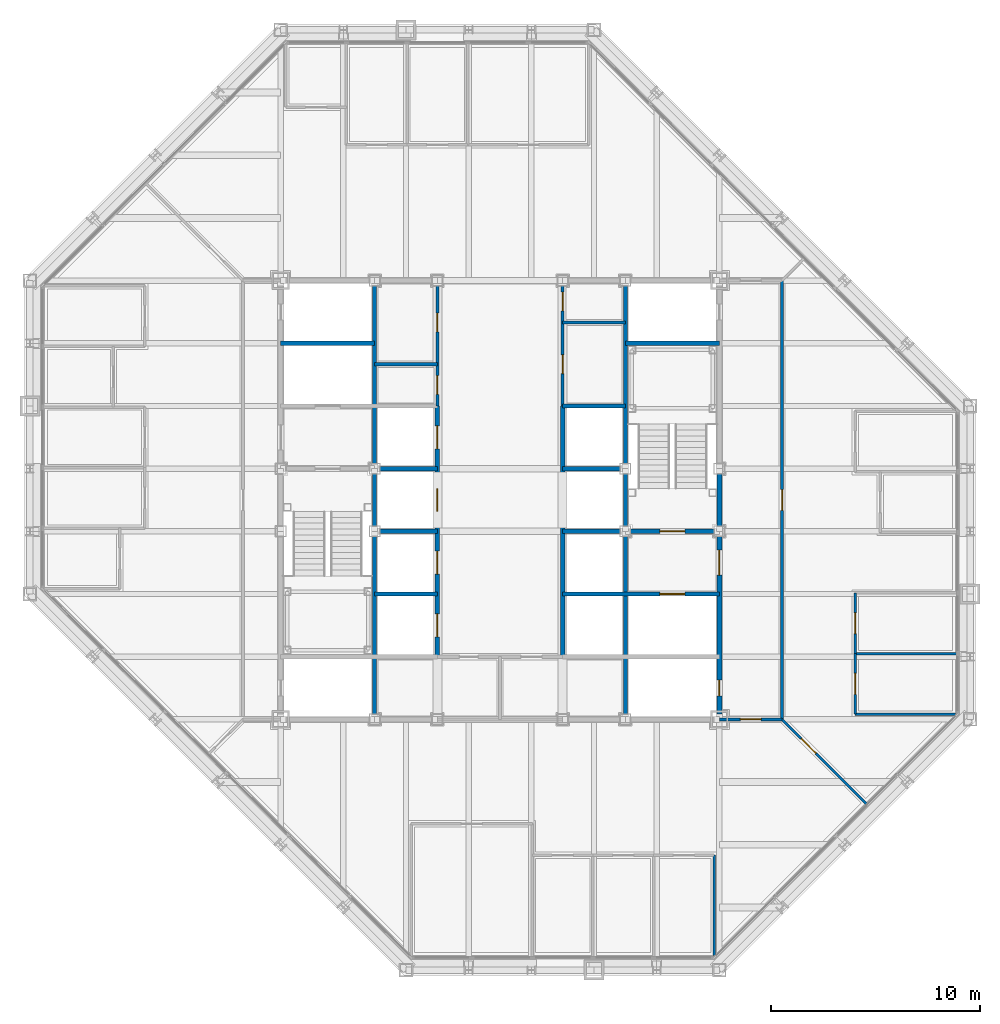
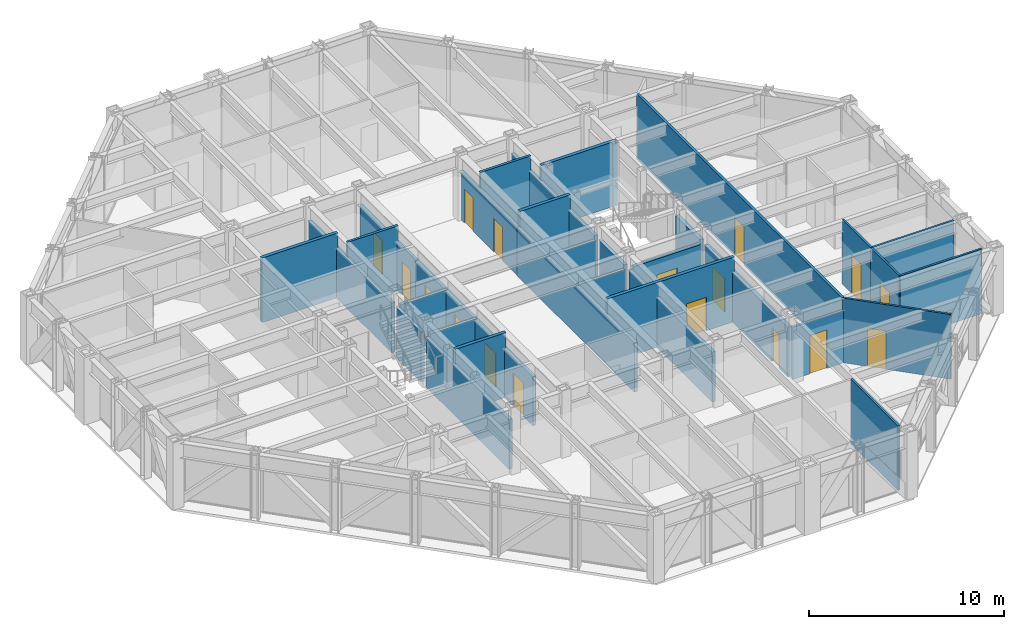
# One storey, part 12 of 16: 32 walls, 17 doors, 17 openings.
"""IFC4 building model written with IfcOpenShell, lengths in metres."""

import ifcopenshell
import ifcopenshell.guid

model = None  # the IFC model being written
_history = None  # IfcOwnerHistory: only IFC2X3 demands one
_inside = {}  # id of a spatial element -> (the spatial element, [elements in it])
_under = {}  # id of a project, library or spatial element -> (it, [spatial elements below it])
_declared = {}  # id of a project -> (the project, [libraries it declares])
_typed = {}  # id of a type object -> (the type object, [elements of that type])
_made_of = {}  # id of a material, layer set ... -> (it, [elements and type objects made of it])


def new_model(schema):
    """Start an empty IFC model of exactly this schema.

    Asked for "IFC4X3", IfcOpenShell would pick the latest addendum, in which some entities
    have other attributes; the version numbers below select the first issue.
    IFC2X3 requires an IfcOwnerHistory on every rooted entity: one is made here for all.
    """
    global model, _history
    if schema == "IFC4X3":
        model = ifcopenshell.file(schema_version=(4, 3, 0, 0))
    else:
        model = ifcopenshell.file(schema=schema)
    _inside.clear()
    _under.clear()
    _declared.clear()
    _typed.clear()
    _made_of.clear()
    _history = None
    if model.schema == "IFC2X3":
        org = make("IfcOrganization", Name="unknown")
        user = make(
            "IfcPersonAndOrganization",
            ThePerson=make("IfcPerson", FamilyName="unknown"),
            TheOrganization=org,
        )
        app = make(
            "IfcApplication",
            ApplicationDeveloper=org,
            Version="unknown",
            ApplicationFullName="unknown",
            ApplicationIdentifier="unknown",
        )
        _history = make(
            "IfcOwnerHistory",
            OwningUser=user,
            OwningApplication=app,
            ChangeAction="ADDED",
            CreationDate=0,
        )
    return model


def make(cls, **values):
    """One entity of the class cls with the attributes given. An attribute that is None is left unset."""
    return model.create_entity(
        cls, **{name: value for name, value in values.items() if value is not None}
    )


def rooted(cls, **values):
    """An entity with a GlobalId (a new one), such as an element, a storey or a relation."""
    return make(cls, GlobalId=ifcopenshell.guid.new(), OwnerHistory=_history, **values)


def si_unit(unit_type, name, prefix=None):
    """IfcSIUnit, for example si_unit("LENGTHUNIT", "METRE", prefix="MILLI")."""
    return make("IfcSIUnit", UnitType=unit_type, Prefix=prefix, Name=name)


def assignment(units):
    """IfcUnitAssignment: the units of a project."""
    return None if units is None else make("IfcUnitAssignment", Units=units)


def point(xyz):
    """IfcCartesianPoint."""
    return None if xyz is None else make("IfcCartesianPoint", Coordinates=xyz)


def direction(xyz):
    """IfcDirection."""
    return None if xyz is None else make("IfcDirection", DirectionRatios=xyz)


def frame(location, z_axis=None, x_axis=None):
    """IfcAxis2Placement3D, a coordinate frame: its origin and axes. An axis left out is left unset."""
    return make(
        "IfcAxis2Placement3D",
        Location=point(location),
        Axis=direction(z_axis),
        RefDirection=direction(x_axis),
    )


def frame_2d(location, x_axis=None):
    """IfcAxis2Placement2D, a coordinate frame in the plane: its origin and x axis."""
    return make(
        "IfcAxis2Placement2D", Location=point(location), RefDirection=direction(x_axis)
    )


def origin():
    """The frame at (0, 0, 0) with its axes left unset."""
    return frame((0.0, 0.0, 0.0))


def place(relative_to, where):
    """IfcLocalPlacement: puts the frame where relative to a parent placement (None: the world)."""
    return make(
        "IfcLocalPlacement", PlacementRelTo=relative_to, RelativePlacement=where
    )


def context(
    kind, dimensions, precision=None, world=None, true_north=None, identifier=None
):
    """IfcGeometricRepresentationContext, for example the 3D "Model" context."""
    return make(
        "IfcGeometricRepresentationContext",
        ContextIdentifier=identifier,
        ContextType=kind,
        CoordinateSpaceDimension=dimensions,
        Precision=precision,
        WorldCoordinateSystem=world,
        TrueNorth=true_north,
    )


def subcontext(parent, identifier, kind, view, scale=None):
    """IfcGeometricRepresentationSubContext, for example "Body" below "Model"."""
    return make(
        "IfcGeometricRepresentationSubContext",
        ContextIdentifier=identifier,
        ContextType=kind,
        ParentContext=parent,
        TargetScale=scale,
        TargetView=view,
    )


def project(units=None, contexts=None):
    """IfcProject with its units and contexts."""
    return rooted(
        "IfcProject",
        Name="project",
        RepresentationContexts=contexts,
        UnitsInContext=assignment(units),
    )


def spatial(cls, under=None, at=None, **own):
    """A site, building, storey or space (cls), placed at a placement, below another one or the project."""
    s = rooted(cls, ObjectPlacement=at, **own)
    if under is not None:
        _under.setdefault(under.id(), (under, []))[1].append(s)
    return s


def profile(cls, at=None, kind="AREA", **sizes):
    """A parametric profile (cls). Its sizes go by their IFC names, for example OverallWidth=200.0."""
    return make(cls, ProfileType=kind, Position=at, **sizes)


def rectangle(**sizes):
    """IfcRectangleProfileDef."""
    return profile("IfcRectangleProfileDef", **sizes)


def extrude(swept, where, along, depth):
    """IfcExtrudedAreaSolid: the profile swept, set in the frame where, extruded along a direction by depth."""
    return make(
        "IfcExtrudedAreaSolid",
        SweptArea=swept,
        Position=where,
        ExtrudedDirection=direction(along),
        Depth=depth,
    )


def shape(context_of_items, identifier, shape_type, items):
    """IfcShapeRepresentation: the items that make up one representation, for example the "Body"."""
    return make(
        "IfcShapeRepresentation",
        ContextOfItems=context_of_items,
        RepresentationIdentifier=identifier,
        RepresentationType=shape_type,
        Items=items,
    )


def material(Name=None, Category=None):
    """IfcMaterial."""
    return make("IfcMaterial", Name=Name, Category=Category)


def layer(
    of_material, thickness, ventilated=None, Name=None, Category=None, Priority=None
):
    """IfcMaterialLayer: one layer of a wall or slab, of a material (None: an air gap)."""
    return make(
        "IfcMaterialLayer",
        Material=of_material,
        LayerThickness=thickness,
        IsVentilated=ventilated,
        Name=Name,
        Category=Category,
        Priority=Priority,
    )


def layer_set(layers, Name=None):
    """IfcMaterialLayerSet."""
    return make("IfcMaterialLayerSet", MaterialLayers=layers, LayerSetName=Name)


def made_of(thing, what):
    """Note that an element or type object is made of a material, layer set ...; save() writes the relation."""
    if what is not None:
        _made_of.setdefault(what.id(), (what, []))[1].append(thing)
    return thing


def type_object(cls, material=None, **own):
    """A type object (cls), such as IfcWallType, which elements share."""
    return made_of(rooted(cls, **own), material)


def element(
    cls,
    number,
    at=None,
    inside=None,
    cuts=None,
    type_object=None,
    material=None,
    context=None,
    identifier="Body",
    shape_type=None,
    held_by="IfcProductDefinitionShape",
    body=None,
    shapes=None,
    **own,
):
    """One element of the class cls, such as IfcWall. Its Tag is "e" and its number.

    at: its placement. inside: the storey or other place that contains it. cuts: it is an
    opening in that element (IfcRelVoidsElement). A single representation is given by context,
    identifier, shape_type and body (its items); several are given by shapes. held_by: the class
    of the entity that holds the representations. save() writes the other relations.
    """
    e = rooted(cls, Tag="e%d" % number, ObjectPlacement=at, **own)
    if body is not None:
        shapes = [shape(context, identifier, shape_type, body)]
    if shapes is not None:
        e.Representation = make(held_by, Representations=shapes)
    if inside is not None:
        _inside.setdefault(inside.id(), (inside, []))[1].append(e)
    if cuts is not None:
        rooted(
            "IfcRelVoidsElement", RelatingBuildingElement=cuts, RelatedOpeningElement=e
        )
    if type_object is not None:
        _typed.setdefault(type_object.id(), (type_object, []))[1].append(e)
    return made_of(e, material)


def fill(opening, filler):
    """IfcRelFillsElement: the door or window that sits in an opening."""
    return rooted(
        "IfcRelFillsElement",
        RelatingOpeningElement=opening,
        RelatedBuildingElement=filler,
    )


def aggregate(whole, parts):
    """IfcRelAggregates: a whole, such as a stair, and the parts it consists of."""
    return rooted("IfcRelAggregates", RelatingObject=whole, RelatedObjects=parts)


def save(model, path):
    """Write the relations noted so far, then the file.

    IfcRelAggregates (storeys below a building ...), IfcRelContainedInSpatialStructure (elements
    in a storey), IfcRelDefinesByType, IfcRelAssociatesMaterial and IfcRelDeclares: one each for
    every whole, place, type object, material and project.
    """
    for whole, parts in _under.values():
        aggregate(whole, parts)
    for where, things in _inside.values():
        rooted(
            "IfcRelContainedInSpatialStructure",
            RelatedElements=things,
            RelatingStructure=where,
        )
    for kind, things in _typed.values():
        rooted("IfcRelDefinesByType", RelatedObjects=things, RelatingType=kind)
    for what, things in _made_of.values():
        rooted("IfcRelAssociatesMaterial", RelatedObjects=things, RelatingMaterial=what)
    for by, libraries in _declared.values():
        rooted("IfcRelDeclares", RelatingContext=by, RelatedDefinitions=libraries)
    model.write(path)


model = new_model("IFC4")

# Units and contexts
model_context = context("Model", 3, precision=1e-05, world=origin(), true_north=direction((0.0, 1.0)))
body_context = subcontext(model_context, "Body", "Model", "MODEL_VIEW")
ifc_project = project(units=[si_unit("LENGTHUNIT", "METRE"), si_unit("AREAUNIT", "SQUARE_METRE"), si_unit("VOLUMEUNIT", "CUBIC_METRE"), si_unit("PLANEANGLEUNIT", "RADIAN"), si_unit("MASSUNIT", "GRAM", prefix="KILO")], contexts=[model_context])

# Site, building, storey
site_placement = place(None, origin())
site = spatial("IfcSite", under=ifc_project, at=site_placement, CompositionType="ELEMENT")
building_placement = place(site_placement, origin())
building = spatial("IfcBuilding", under=site, at=building_placement, Name="Chuquiago Exchange Tower", CompositionType="ELEMENT")
storey_placement = place(building_placement, frame((0.0, 0.0, 218.10009765625)))
storey = spatial("IfcBuildingStorey", under=building, at=storey_placement, Name="L48", CompositionType="ELEMENT", Elevation=218.10009765625)

# Wall, openings, doors
ifc_material_1 = material(Name="Concrete masonry, fully grouted", Category="masonry")
ifc_layer_1 = layer(ifc_material_1, 0.25)
ifc_layer_set_1 = layer_set([ifc_layer_1], Name="W1 core wall 250")
wall_type_1 = type_object("IfcWallType", Name="W1 core wall 250", PredefinedType="SOLIDWALL", material=ifc_layer_set_1)
wall_1_placement = place(storey_placement, frame((33.0, 12.25, 0.0), z_axis=(0.0, 0.0, 1.0), x_axis=(0.0, 1.0, 0.0)))
wall_1 = element("IfcWall", 1, at=wall_1_placement, inside=storey, type_object=wall_type_1, Name="CW-L48-25-0", PredefinedType="SOLIDWALL", context=body_context, shape_type="SweptSolid", body=[
    extrude(rectangle(XDim=8.5, YDim=0.25, at=frame_2d((4.25, 0.0))), origin(), (0.0, 0.0, 1.0), 3.11279296875),
])
opening_1_placement = place(wall_1_placement, frame((6.64990234375, 0.0, 0.0)))
opening_1 = element("IfcOpeningElement", 2, at=opening_1_placement, cuts=wall_1, Name="Opening L48-004", PredefinedType="OPENING", context=body_context, shape_type="SweptSolid", body=[
    extrude(rectangle(XDim=1.199951171875, YDim=2.10009765625, at=frame_2d((0.60009765625, 1.050048828125))), frame((0.0, 0.135009765625, 0.0), z_axis=(0.0, -1.0, 0.0), x_axis=(1.0, 0.0, 0.0)), (0.0, 0.0, 1.0), 0.27001953125),
])
opening_2_placement = place(wall_1_placement, frame((0.875, 0.0, 0.0)))
opening_2 = element("IfcOpeningElement", 3, at=opening_2_placement, cuts=wall_1, Name="Opening L48-009", PredefinedType="OPENING", context=body_context, shape_type="SweptSolid", body=[
    extrude(rectangle(XDim=0.75, YDim=2.10009765625, at=frame_2d((0.375, 1.050048828125))), frame((0.0, 0.135009765625, 0.0), z_axis=(0.0, -1.0, 0.0), x_axis=(1.0, 0.0, 0.0)), (0.0, 0.0, 1.0), 0.27001953125),
])
ifc_material_2 = material(Name="Steel door, painted", Category="steel")
door_type_1 = type_object("IfcDoorType", Name="D5 firefighting lobby door 1200x2100", OperationType="SINGLE_SWING_LEFT", PredefinedType="DOOR", material=ifc_material_2)
door_1_placement = place(opening_1_placement, origin())
door_1 = element("IfcDoor", 4, at=door_1_placement, inside=storey, type_object=door_type_1, Name="Firefighting lobby 2 door", OperationType="SINGLE_SWING_RIGHT", OverallHeight=2.10009765625, OverallWidth=1.199951171875, PredefinedType="DOOR", context=body_context, shape_type="SweptSolid", body=[
    extrude(rectangle(XDim=1.199951171875, YDim=2.10009765625, at=frame_2d((0.60009765625, 1.050048828125))), frame((0.0, 0.02490234375, 0.0), z_axis=(0.0, -1.0, 0.0), x_axis=(1.0, 0.0, 0.0)), (0.0, 0.0, 1.0), 0.050048828125),
])
fill(opening_1, door_1)
ifc_material_3 = material(Name="Steel door, painted", Category="steel")
door_type_2 = type_object("IfcDoorType", Name="D6 riser access door 750x2100", OperationType="SINGLE_SWING_LEFT", PredefinedType="DOOR", material=ifc_material_3)
door_2_placement = place(opening_2_placement, frame((0.75, 0.0, 0.0), z_axis=(0.0, 0.0, 1.0), x_axis=(-1.0, 0.0, 0.0)))
door_2 = element("IfcDoor", 5, at=door_2_placement, inside=storey, type_object=door_type_2, Name="Riser RE1 door", OperationType="SINGLE_SWING_RIGHT", OverallHeight=2.10009765625, OverallWidth=0.75, PredefinedType="DOOR", context=body_context, shape_type="SweptSolid", body=[
    extrude(rectangle(XDim=0.75, YDim=2.10009765625, at=frame_2d((0.375, 1.050048828125))), frame((0.0, 0.02490234375, 0.0), z_axis=(0.0, -1.0, 0.0), x_axis=(1.0, 0.0, 0.0)), (0.0, 0.0, 1.0), 0.050048828125),
])
fill(opening_2, door_2)

# Wall
wall_2_placement = place(storey_placement, frame((33.0, 21.25, 0.0), z_axis=(0.0, 0.0, 1.0), x_axis=(0.0, 1.0, 0.0)))
element("IfcWall", 6, at=wall_2_placement, inside=storey, type_object=wall_type_1, Name="CW-L48-25-1", PredefinedType="SOLIDWALL", context=body_context, shape_type="SweptSolid", body=[
    extrude(rectangle(XDim=2.5, YDim=0.25, at=frame_2d((1.25, 0.0))), origin(), (0.0, 0.0, 1.0), 3.11279296875),
])

# Wall, opening, door
ifc_material_4 = material(Name="Gypsum board on steel studs, acoustic insulation", Category="steel")
ifc_layer_2 = layer(ifc_material_4, 0.14990234375)
ifc_layer_set_2 = layer_set([ifc_layer_2], Name="W11 corridor wall 150")
wall_type_2 = type_object("IfcWallType", Name="W11 corridor wall 150", PredefinedType="PARTITIONING", material=ifc_layer_set_2)
wall_3_placement = place(storey_placement, frame((36.0, 12.0, 0.0), z_axis=(0.0, 0.0, 1.0), x_axis=(0.0, 1.0, 0.0)))
wall_3 = element("IfcWall", 7, at=wall_3_placement, inside=storey, type_object=wall_type_2, Name="PW-L48-GE0", PredefinedType="PARTITIONING", context=body_context, shape_type="SweptSolid", body=[
    extrude(rectangle(XDim=21.0, YDim=0.14990234375, at=frame_2d((10.5, 0.0))), origin(), (0.0, 0.0, 1.0), 4.039794921875),
])
opening_3_placement = place(wall_3_placement, frame((10.0, 0.0, 0.0)))
opening_3 = element("IfcOpeningElement", 8, at=opening_3_placement, cuts=wall_3, Name="Opening L48-039", PredefinedType="OPENING", context=body_context, shape_type="SweptSolid", body=[
    extrude(rectangle(XDim=1.0, YDim=2.39990234375, at=frame_2d((0.5, 1.199951171875))), frame((0.0, 0.0849609375, 0.0), z_axis=(0.0, -1.0, 0.0), x_axis=(1.0, 0.0, 0.0)), (0.0, 0.0, 1.0), 0.169921875),
])
ifc_material_5 = material(Name="Timber door, laminate faced", Category="wood")
door_type_3 = type_object("IfcDoorType", Name="D9 room door 1000x2400", OperationType="SINGLE_SWING_LEFT", PredefinedType="DOOR", material=ifc_material_5)
door_3_placement = place(opening_3_placement, frame((1.0, 0.0, 0.0), z_axis=(0.0, 0.0, 1.0), x_axis=(-1.0, 0.0, 0.0)))
door_3 = element("IfcDoor", 9, at=door_3_placement, inside=storey, type_object=door_type_3, Name="Team area door", OperationType="SINGLE_SWING_RIGHT", OverallHeight=2.39990234375, OverallWidth=1.0, PredefinedType="DOOR", context=body_context, shape_type="SweptSolid", body=[
    extrude(rectangle(XDim=1.0, YDim=2.39990234375, at=frame_2d((0.5, 1.199951171875))), frame((0.0, 0.02490234375, 0.0), z_axis=(0.0, -1.0, 0.0), x_axis=(1.0, 0.0, 0.0)), (0.0, 0.0, 1.0), 0.050048828125),
])
fill(opening_3, door_3)

wall_4_placement = place(storey_placement, frame((33.0, 12.0, 0.0), z_axis=(0.0, 0.0, 1.0), x_axis=(1.0, 0.0, 0.0)))
wall_4 = element("IfcWall", 10, at=wall_4_placement, inside=storey, type_object=wall_type_2, Name="PW-L48-GES0", PredefinedType="PARTITIONING", context=body_context, shape_type="SweptSolid", body=[
    extrude(rectangle(XDim=3.0, YDim=0.14990234375, at=frame_2d((1.5, 0.0))), origin(), (0.0, 0.0, 1.0), 3.270263671875),
])
opening_4_placement = place(wall_4_placement, frame((1.0, 0.0, 0.0)))
opening_4 = element("IfcOpeningElement", 11, at=opening_4_placement, cuts=wall_4, Name="Opening L48-041", PredefinedType="OPENING", context=body_context, shape_type="SweptSolid", body=[
    extrude(rectangle(XDim=1.0, YDim=2.39990234375, at=frame_2d((0.5, 1.199951171875))), frame((0.0, 0.0849609375, 0.0), z_axis=(0.0, -1.0, 0.0), x_axis=(1.0, 0.0, 0.0)), (0.0, 0.0, 1.0), 0.169921875),
])
door_4_placement = place(opening_4_placement, frame((1.0, 0.0, 0.0), z_axis=(0.0, 0.0, 1.0), x_axis=(-1.0, 0.0, 0.0)))
door_4 = element("IfcDoor", 12, at=door_4_placement, inside=storey, type_object=door_type_3, Name="Team area door", OperationType="SINGLE_SWING_RIGHT", OverallHeight=2.39990234375, OverallWidth=1.0, PredefinedType="DOOR", context=body_context, shape_type="SweptSolid", body=[
    extrude(rectangle(XDim=1.0, YDim=2.39990234375, at=frame_2d((0.5, 1.199951171875))), frame((0.0, 0.02490234375, 0.0), z_axis=(0.0, -1.0, 0.0), x_axis=(1.0, 0.0, 0.0)), (0.0, 0.0, 1.0), 0.050048828125),
])
fill(opening_4, door_4)

# Walls
ifc_material_6 = material(Name="Concrete masonry, fully grouted", Category="masonry")
ifc_layer_3 = layer(ifc_material_6, 0.199951171875)
ifc_layer_set_3 = layer_set([ifc_layer_3], Name="W2 shaft wall 200")
wall_type_3 = type_object("IfcWallType", Name="W2 shaft wall 200", PredefinedType="SOLIDWALL", material=ifc_layer_set_3)
for number, where, z_axis, x_axis, name in (
    (13, (16.75, 24.0, 0.0), (0.0, 0.0, 1.0), (1.0, 0.0, 0.0), "CW-L48-05-1"),
    (14, (25.5, 24.0, 0.0), (0.0, 0.0, 1.0), (1.0, 0.0, 0.0), "CW-L48-06-0"),
):
    element("IfcWall", number, at=place(storey_placement, frame(where, z_axis=z_axis, x_axis=x_axis)), inside=storey, type_object=wall_type_3, Name=name, PredefinedType="SOLIDWALL", context=body_context, shape_type="SweptSolid", body=[
        extrude(rectangle(XDim=2.75, YDim=0.199951171875, at=frame_2d((1.375, 0.0))), origin(), (0.0, 0.0, 1.0), 3.08984375),
    ])
wall_5_placement = place(storey_placement, frame((25.5, 27.0, 0.0), z_axis=(0.0, 0.0, 1.0), x_axis=(1.0, 0.0, 0.0)))
element("IfcWall", 15, at=wall_5_placement, inside=storey, type_object=wall_type_3, Name="CW-L48-08-0", PredefinedType="SOLIDWALL", context=body_context, shape_type="SweptSolid", body=[
    extrude(rectangle(XDim=3.0, YDim=0.199951171875, at=frame_2d((1.5, 0.0))), origin(), (0.0, 0.0, 1.0), 4.039794921875),
])
for number, where, z_axis, x_axis, name in (
    (16, (12.0, 30.0, 0.0), (0.0, 0.0, 1.0), (1.0, 0.0, 0.0), "CW-L48-09-0"),
    (17, (28.5, 30.0, 0.0), (0.0, 0.0, 1.0), (1.0, 0.0, 0.0), "CW-L48-10-0"),
):
    element("IfcWall", number, at=place(storey_placement, frame(where, z_axis=z_axis, x_axis=x_axis)), inside=storey, type_object=wall_type_3, Name=name, PredefinedType="SOLIDWALL", context=body_context, shape_type="SweptSolid", body=[
        extrude(rectangle(XDim=4.5, YDim=0.199951171875, at=frame_2d((2.25, 0.0))), origin(), (0.0, 0.0, 1.0), 4.039794921875),
    ])
wall_6_placement = place(storey_placement, frame((16.5, 12.25, 0.0), z_axis=(0.0, 0.0, 1.0), x_axis=(0.0, 1.0, 0.0)))
element("IfcWall", 18, at=wall_6_placement, inside=storey, type_object=wall_type_3, Name="CW-L48-13-0", PredefinedType="SOLIDWALL", context=body_context, shape_type="SweptSolid", body=[
    extrude(rectangle(XDim=8.5, YDim=0.199951171875, at=frame_2d((4.25, 0.0))), origin(), (0.0, 0.0, 1.0), 3.11279296875),
])
wall_7_placement = place(storey_placement, frame((16.5, 21.25, 0.0), z_axis=(0.0, 0.0, 1.0), x_axis=(0.0, 1.0, 0.0)))
element("IfcWall", 19, at=wall_7_placement, inside=storey, type_object=wall_type_3, Name="CW-L48-13-1", PredefinedType="SOLIDWALL", context=body_context, shape_type="SweptSolid", body=[
    extrude(rectangle(XDim=2.5, YDim=0.199951171875, at=frame_2d((1.25, 0.0))), origin(), (0.0, 0.0, 1.0), 3.11279296875),
])
wall_8_placement = place(storey_placement, frame((16.5, 24.25, 0.0), z_axis=(0.0, 0.0, 1.0), x_axis=(0.0, 1.0, 0.0)))
element("IfcWall", 20, at=wall_8_placement, inside=storey, type_object=wall_type_3, Name="CW-L48-13-2", PredefinedType="SOLIDWALL", context=body_context, shape_type="SweptSolid", body=[
    extrude(rectangle(XDim=8.5, YDim=0.199951171875, at=frame_2d((4.25, 0.0))), origin(), (0.0, 0.0, 1.0), 3.11279296875),
])
wall_9_placement = place(storey_placement, frame((16.5, 18.0, 0.0), z_axis=(0.0, 0.0, 1.0), x_axis=(1.0, 0.0, 0.0)))
element("IfcWall", 21, at=wall_9_placement, inside=storey, type_object=wall_type_3, Name="CW-L48-14-0", PredefinedType="SOLIDWALL", context=body_context, shape_type="SweptSolid", body=[
    extrude(rectangle(XDim=3.0, YDim=0.199951171875, at=frame_2d((1.5, 0.0))), origin(), (0.0, 0.0, 1.0), 4.039794921875),
])

# Wall, opening, door
wall_10_placement = place(storey_placement, frame((25.5, 18.0, 0.0), z_axis=(0.0, 0.0, 1.0), x_axis=(1.0, 0.0, 0.0)))
wall_10 = element("IfcWall", 22, at=wall_10_placement, inside=storey, type_object=wall_type_3, Name="CW-L48-15-0", PredefinedType="SOLIDWALL", context=body_context, shape_type="SweptSolid", body=[
    extrude(rectangle(XDim=7.5, YDim=0.199951171875, at=frame_2d((3.75, 0.0))), origin(), (0.0, 0.0, 1.0), 4.039794921875),
])
opening_5_placement = place(wall_10_placement, frame((4.64990234375, 0.0, 0.0)))
opening_5 = element("IfcOpeningElement", 23, at=opening_5_placement, cuts=wall_10, Name="Opening L48-006", PredefinedType="OPENING", context=body_context, shape_type="SweptSolid", body=[
    extrude(rectangle(XDim=1.199951171875, YDim=2.10009765625, at=frame_2d((0.60009765625, 1.050048828125))), frame((0.0, 0.10986328125, 0.0), z_axis=(0.0, -1.0, 0.0), x_axis=(1.0, 0.0, 0.0)), (0.0, 0.0, 1.0), 0.219970703125),
])
ifc_material_7 = material(Name="Stainless steel lift landing door", Category="steel")
door_type_4 = type_object("IfcDoorType", Name="LD2 firefighting lift landing door 1200x2100", OperationType="DOUBLE_DOOR_SLIDING", PredefinedType="DOOR", material=ifc_material_7)
door_5_placement = place(opening_5_placement, origin())
door_5 = element("IfcDoor", 24, at=door_5_placement, inside=storey, type_object=door_type_4, Name="Firefighting lift FL2 landing door", OperationType="DOUBLE_DOOR_SLIDING", OverallHeight=2.10009765625, OverallWidth=1.199951171875, PredefinedType="DOOR", context=body_context, shape_type="SweptSolid", body=[
    extrude(rectangle(XDim=1.199951171875, YDim=2.10009765625, at=frame_2d((0.60009765625, 1.050048828125))), frame((0.0, 0.02490234375, 0.0), z_axis=(0.0, -1.0, 0.0), x_axis=(1.0, 0.0, 0.0)), (0.0, 0.0, 1.0), 0.050048828125),
])
fill(opening_5, door_5)

# Walls
for number, where, z_axis, x_axis, name in (
    (25, (16.75, 21.0, 0.0), (0.0, 0.0, 1.0), (1.0, 0.0, 0.0), "CW-L48-16-0"),
    (26, (25.5, 21.0, 0.0), (0.0, 0.0, 1.0), (1.0, 0.0, 0.0), "CW-L48-17-0"),
):
    element("IfcWall", number, at=place(storey_placement, frame(where, z_axis=z_axis, x_axis=x_axis)), inside=storey, type_object=wall_type_3, Name=name, PredefinedType="SOLIDWALL", context=body_context, shape_type="SweptSolid", body=[
        extrude(rectangle(XDim=2.75, YDim=0.199951171875, at=frame_2d((1.375, 0.0))), origin(), (0.0, 0.0, 1.0), 3.08984375),
    ])

# Wall, opening, door
wall_11_placement = place(storey_placement, frame((28.75, 21.0, 0.0), z_axis=(0.0, 0.0, 1.0), x_axis=(1.0, 0.0, 0.0)))
wall_11 = element("IfcWall", 27, at=wall_11_placement, inside=storey, type_object=wall_type_3, Name="CW-L48-17-1", PredefinedType="SOLIDWALL", context=body_context, shape_type="SweptSolid", body=[
    extrude(rectangle(XDim=4.0, YDim=0.199951171875, at=frame_2d((2.0, 0.0))), origin(), (0.0, 0.0, 1.0), 3.08984375),
])
opening_6_placement = place(wall_11_placement, frame((1.39990234375, 0.0, 0.0)))
opening_6 = element("IfcOpeningElement", 28, at=opening_6_placement, cuts=wall_11, Name="Opening L48-003", PredefinedType="OPENING", context=body_context, shape_type="SweptSolid", body=[
    extrude(rectangle(XDim=1.199951171875, YDim=2.10009765625, at=frame_2d((0.60009765625, 1.050048828125))), frame((0.0, 0.10986328125, 0.0), z_axis=(0.0, -1.0, 0.0), x_axis=(1.0, 0.0, 0.0)), (0.0, 0.0, 1.0), 0.219970703125),
])
ifc_material_8 = material(Name="Steel door, painted", Category="steel")
door_type_5 = type_object("IfcDoorType", Name="D4 stair door 1200x2100", OperationType="SINGLE_SWING_LEFT", PredefinedType="DOOR", material=ifc_material_8)
door_6_placement = place(opening_6_placement, origin())
door_6 = element("IfcDoor", 29, at=door_6_placement, inside=storey, type_object=door_type_5, Name="Stair ST2 door", OperationType="SINGLE_SWING_LEFT", OverallHeight=2.10009765625, OverallWidth=1.199951171875, PredefinedType="DOOR", context=body_context, shape_type="SweptSolid", body=[
    extrude(rectangle(XDim=1.199951171875, YDim=2.10009765625, at=frame_2d((0.60009765625, 1.050048828125))), frame((0.0, 0.02490234375, 0.0), z_axis=(0.0, -1.0, 0.0), x_axis=(1.0, 0.0, 0.0)), (0.0, 0.0, 1.0), 0.050048828125),
])
fill(opening_6, door_6)

# Wall, openings, doors
wall_12_placement = place(storey_placement, frame((19.5, 15.0, 0.0), z_axis=(0.0, 0.0, 1.0), x_axis=(0.0, 1.0, 0.0)))
wall_12 = element("IfcWall", 30, at=wall_12_placement, inside=storey, type_object=wall_type_3, Name="CW-L48-19-0", PredefinedType="SOLIDWALL", context=body_context, shape_type="SweptSolid", body=[
    extrude(rectangle(XDim=12.0, YDim=0.199951171875, at=frame_2d((6.0, 0.0))), origin(), (0.0, 0.0, 1.0), 3.064453125),
])
opening_7_placement = place(wall_12_placement, frame((0.949951171875, 0.0, 0.0)))
opening_7 = element("IfcOpeningElement", 31, at=opening_7_placement, cuts=wall_12, Name="Opening L48-017", PredefinedType="OPENING", context=body_context, shape_type="SweptSolid", body=[
    extrude(rectangle(XDim=1.10009765625, YDim=2.10009765625, at=frame_2d((0.550048828125, 1.050048828125))), frame((0.0, 0.10986328125, 0.0), z_axis=(0.0, -1.0, 0.0), x_axis=(1.0, 0.0, 0.0)), (0.0, 0.0, 1.0), 0.219970703125),
])
opening_8_placement = place(wall_12_placement, frame((3.949951171875, 0.0, 0.0)))
opening_8 = element("IfcOpeningElement", 32, at=opening_8_placement, cuts=wall_12, Name="Opening L48-018", PredefinedType="OPENING", context=body_context, shape_type="SweptSolid", body=[
    extrude(rectangle(XDim=1.10009765625, YDim=2.10009765625, at=frame_2d((0.550048828125, 1.050048828125))), frame((0.0, 0.10986328125, 0.0), z_axis=(0.0, -1.0, 0.0), x_axis=(1.0, 0.0, 0.0)), (0.0, 0.0, 1.0), 0.219970703125),
])
opening_9_placement = place(wall_12_placement, frame((6.949951171875, 0.0, 0.0)))
opening_9 = element("IfcOpeningElement", 33, at=opening_9_placement, cuts=wall_12, Name="Opening L48-019", PredefinedType="OPENING", context=body_context, shape_type="SweptSolid", body=[
    extrude(rectangle(XDim=1.10009765625, YDim=2.10009765625, at=frame_2d((0.550048828125, 1.050048828125))), frame((0.0, 0.10986328125, 0.0), z_axis=(0.0, -1.0, 0.0), x_axis=(1.0, 0.0, 0.0)), (0.0, 0.0, 1.0), 0.219970703125),
])
opening_10_placement = place(wall_12_placement, frame((9.949951171875, 0.0, 0.0)))
opening_10 = element("IfcOpeningElement", 34, at=opening_10_placement, cuts=wall_12, Name="Opening L48-020", PredefinedType="OPENING", context=body_context, shape_type="SweptSolid", body=[
    extrude(rectangle(XDim=1.10009765625, YDim=2.10009765625, at=frame_2d((0.550048828125, 1.050048828125))), frame((0.0, 0.10986328125, 0.0), z_axis=(0.0, -1.0, 0.0), x_axis=(1.0, 0.0, 0.0)), (0.0, 0.0, 1.0), 0.219970703125),
])
ifc_material_9 = material(Name="Stainless steel lift landing door", Category="steel")
door_type_6 = type_object("IfcDoorType", Name="LD1 lift landing door 1100x2100", OperationType="DOUBLE_DOOR_SLIDING", PredefinedType="DOOR", material=ifc_material_9)
door_7_placement = place(opening_7_placement, origin())
door_7 = element("IfcDoor", 35, at=door_7_placement, inside=storey, type_object=door_type_6, Name="Lift LC1 landing door", OperationType="DOUBLE_DOOR_SLIDING", OverallHeight=2.10009765625, OverallWidth=1.10009765625, PredefinedType="DOOR", context=body_context, shape_type="SweptSolid", body=[
    extrude(rectangle(XDim=1.10009765625, YDim=2.10009765625, at=frame_2d((0.550048828125, 1.050048828125))), frame((0.0, 0.02490234375, 0.0), z_axis=(0.0, -1.0, 0.0), x_axis=(1.0, 0.0, 0.0)), (0.0, 0.0, 1.0), 0.050048828125),
])
fill(opening_7, door_7)
door_8_placement = place(opening_8_placement, origin())
door_8 = element("IfcDoor", 36, at=door_8_placement, inside=storey, type_object=door_type_6, Name="Lift LC2 landing door", OperationType="DOUBLE_DOOR_SLIDING", OverallHeight=2.10009765625, OverallWidth=1.10009765625, PredefinedType="DOOR", context=body_context, shape_type="SweptSolid", body=[
    extrude(rectangle(XDim=1.10009765625, YDim=2.10009765625, at=frame_2d((0.550048828125, 1.050048828125))), frame((0.0, 0.02490234375, 0.0), z_axis=(0.0, -1.0, 0.0), x_axis=(1.0, 0.0, 0.0)), (0.0, 0.0, 1.0), 0.050048828125),
])
fill(opening_8, door_8)
door_9_placement = place(opening_9_placement, origin())
door_9 = element("IfcDoor", 37, at=door_9_placement, inside=storey, type_object=door_type_6, Name="Lift LC3 landing door", OperationType="DOUBLE_DOOR_SLIDING", OverallHeight=2.10009765625, OverallWidth=1.10009765625, PredefinedType="DOOR", context=body_context, shape_type="SweptSolid", body=[
    extrude(rectangle(XDim=1.10009765625, YDim=2.10009765625, at=frame_2d((0.550048828125, 1.050048828125))), frame((0.0, 0.02490234375, 0.0), z_axis=(0.0, -1.0, 0.0), x_axis=(1.0, 0.0, 0.0)), (0.0, 0.0, 1.0), 0.050048828125),
])
fill(opening_9, door_9)
door_10_placement = place(opening_10_placement, origin())
door_10 = element("IfcDoor", 38, at=door_10_placement, inside=storey, type_object=door_type_6, Name="Lift LC4 landing door", OperationType="DOUBLE_DOOR_SLIDING", OverallHeight=2.10009765625, OverallWidth=1.10009765625, PredefinedType="DOOR", context=body_context, shape_type="SweptSolid", body=[
    extrude(rectangle(XDim=1.10009765625, YDim=2.10009765625, at=frame_2d((0.550048828125, 1.050048828125))), frame((0.0, 0.02490234375, 0.0), z_axis=(0.0, -1.0, 0.0), x_axis=(1.0, 0.0, 0.0)), (0.0, 0.0, 1.0), 0.050048828125),
])
fill(opening_10, door_10)

# Walls
wall_13_placement = place(storey_placement, frame((25.5, 15.0, 0.0), z_axis=(0.0, 0.0, 1.0), x_axis=(0.0, 1.0, 0.0)))
element("IfcWall", 39, at=wall_13_placement, inside=storey, type_object=wall_type_3, Name="CW-L48-22-0", PredefinedType="SOLIDWALL", context=body_context, shape_type="SweptSolid", body=[
    extrude(rectangle(XDim=12.0, YDim=0.199951171875, at=frame_2d((6.0, 0.0))), origin(), (0.0, 0.0, 1.0), 3.064453125),
])
wall_14_placement = place(storey_placement, frame((28.5, 12.25, 0.0), z_axis=(0.0, 0.0, 1.0), x_axis=(0.0, 1.0, 0.0)))
element("IfcWall", 40, at=wall_14_placement, inside=storey, type_object=wall_type_3, Name="CW-L48-24-0", PredefinedType="SOLIDWALL", context=body_context, shape_type="SweptSolid", body=[
    extrude(rectangle(XDim=8.5, YDim=0.199951171875, at=frame_2d((4.25, 0.0))), origin(), (0.0, 0.0, 1.0), 3.11279296875),
])
wall_15_placement = place(storey_placement, frame((28.5, 21.25, 0.0), z_axis=(0.0, 0.0, 1.0), x_axis=(0.0, 1.0, 0.0)))
element("IfcWall", 41, at=wall_15_placement, inside=storey, type_object=wall_type_3, Name="CW-L48-24-1", PredefinedType="SOLIDWALL", context=body_context, shape_type="SweptSolid", body=[
    extrude(rectangle(XDim=2.5, YDim=0.199951171875, at=frame_2d((1.25, 0.0))), origin(), (0.0, 0.0, 1.0), 3.11279296875),
])
wall_16_placement = place(storey_placement, frame((28.5, 24.25, 0.0), z_axis=(0.0, 0.0, 1.0), x_axis=(0.0, 1.0, 0.0)))
element("IfcWall", 42, at=wall_16_placement, inside=storey, type_object=wall_type_3, Name="CW-L48-24-2", PredefinedType="SOLIDWALL", context=body_context, shape_type="SweptSolid", body=[
    extrude(rectangle(XDim=8.5, YDim=0.199951171875, at=frame_2d((4.25, 0.0))), origin(), (0.0, 0.0, 1.0), 3.11279296875),
])

# Wall, openings, doors
ifc_material_10 = material(Name="Gypsum board on steel studs", Category="steel")
ifc_layer_4 = layer(ifc_material_10, 0.14990234375)
ifc_layer_set_4 = layer_set([ifc_layer_4], Name="W3 core partition 150")
wall_type_4 = type_object("IfcWallType", Name="W3 core partition 150", PredefinedType="PARTITIONING", material=ifc_layer_set_4)
wall_17_placement = place(storey_placement, frame((19.5, 27.0, 0.0), z_axis=(0.0, 0.0, 1.0), x_axis=(0.0, 1.0, 0.0)))
wall_17 = element("IfcWall", 43, at=wall_17_placement, inside=storey, type_object=wall_type_4, Name="CW-L48-20-0", PredefinedType="PARTITIONING", context=body_context, shape_type="SweptSolid", body=[
    extrude(rectangle(XDim=5.75, YDim=0.14990234375, at=frame_2d((2.875, 0.0))), origin(), (0.0, 0.0, 1.0), 3.064453125),
])
opening_11_placement = place(wall_17_placement, frame((0.550048828125, 0.0, 0.0)))
opening_11 = element("IfcOpeningElement", 44, at=opening_11_placement, cuts=wall_17, Name="Opening L48-011", PredefinedType="OPENING", context=body_context, shape_type="SweptSolid", body=[
    extrude(rectangle(XDim=0.89990234375, YDim=2.10009765625, at=frame_2d((0.449951171875, 1.050048828125))), frame((0.0, 0.0849609375, 0.0), z_axis=(0.0, -1.0, 0.0), x_axis=(1.0, 0.0, 0.0)), (0.0, 0.0, 1.0), 0.169921875),
])
opening_12_placement = place(wall_17_placement, frame((3.550048828125, 0.0, 0.0)))
opening_12 = element("IfcOpeningElement", 45, at=opening_12_placement, cuts=wall_17, Name="Opening L48-012", PredefinedType="OPENING", context=body_context, shape_type="SweptSolid", body=[
    extrude(rectangle(XDim=0.89990234375, YDim=2.10009765625, at=frame_2d((0.449951171875, 1.050048828125))), frame((0.0, 0.0849609375, 0.0), z_axis=(0.0, -1.0, 0.0), x_axis=(1.0, 0.0, 0.0)), (0.0, 0.0, 1.0), 0.169921875),
])
ifc_material_11 = material(Name="Timber door, laminate faced", Category="wood")
door_type_7 = type_object("IfcDoorType", Name="D16 core room door 900x2100", OperationType="SINGLE_SWING_LEFT", PredefinedType="DOOR", material=ifc_material_11)
door_11_placement = place(opening_11_placement, origin())
door_11 = element("IfcDoor", 46, at=door_11_placement, inside=storey, type_object=door_type_7, Name="First aid room door", OperationType="SINGLE_SWING_LEFT", OverallHeight=2.10009765625, OverallWidth=0.89990234375, PredefinedType="DOOR", context=body_context, shape_type="SweptSolid", body=[
    extrude(rectangle(XDim=0.89990234375, YDim=2.10009765625, at=frame_2d((0.449951171875, 1.050048828125))), frame((0.0, 0.02490234375, 0.0), z_axis=(0.0, -1.0, 0.0), x_axis=(1.0, 0.0, 0.0)), (0.0, 0.0, 1.0), 0.050048828125),
])
fill(opening_11, door_11)
ifc_material_12 = material(Name="Timber door, laminate faced", Category="wood")
door_type_8 = type_object("IfcDoorType", Name="D7 toilet door 900x2100", OperationType="SINGLE_SWING_LEFT", PredefinedType="DOOR", material=ifc_material_12)
door_12_placement = place(opening_12_placement, origin())
door_12 = element("IfcDoor", 47, at=door_12_placement, inside=storey, type_object=door_type_8, Name="Male WC door", OperationType="SINGLE_SWING_RIGHT", OverallHeight=2.10009765625, OverallWidth=0.89990234375, PredefinedType="DOOR", context=body_context, shape_type="SweptSolid", body=[
    extrude(rectangle(XDim=0.89990234375, YDim=2.10009765625, at=frame_2d((0.449951171875, 1.050048828125))), frame((0.0, 0.02490234375, 0.0), z_axis=(0.0, -1.0, 0.0), x_axis=(1.0, 0.0, 0.0)), (0.0, 0.0, 1.0), 0.050048828125),
])
fill(opening_12, door_12)

wall_18_placement = place(storey_placement, frame((25.5, 27.0, 0.0), z_axis=(0.0, 0.0, 1.0), x_axis=(0.0, 1.0, 0.0)))
wall_18 = element("IfcWall", 48, at=wall_18_placement, inside=storey, type_object=wall_type_4, Name="CW-L48-23-0", PredefinedType="PARTITIONING", context=body_context, shape_type="SweptSolid", body=[
    extrude(rectangle(XDim=5.75, YDim=0.14990234375, at=frame_2d((2.875, 0.0))), origin(), (0.0, 0.0, 1.0), 3.064453125),
])
opening_13_placement = place(wall_18_placement, frame((1.550048828125, 0.0, 0.0)))
opening_13 = element("IfcOpeningElement", 49, at=opening_13_placement, cuts=wall_18, Name="Opening L48-013", PredefinedType="OPENING", context=body_context, shape_type="SweptSolid", body=[
    extrude(rectangle(XDim=0.89990234375, YDim=2.10009765625, at=frame_2d((0.449951171875, 1.050048828125))), frame((0.0, 0.0849609375, 0.0), z_axis=(0.0, -1.0, 0.0), x_axis=(1.0, 0.0, 0.0)), (0.0, 0.0, 1.0), 0.169921875),
])
opening_14_placement = place(wall_18_placement, frame((4.550048828125, 0.0, 0.0)))
opening_14 = element("IfcOpeningElement", 50, at=opening_14_placement, cuts=wall_18, Name="Opening L48-014", PredefinedType="OPENING", context=body_context, shape_type="SweptSolid", body=[
    extrude(rectangle(XDim=0.89990234375, YDim=2.10009765625, at=frame_2d((0.449951171875, 1.050048828125))), frame((0.0, 0.0849609375, 0.0), z_axis=(0.0, -1.0, 0.0), x_axis=(1.0, 0.0, 0.0)), (0.0, 0.0, 1.0), 0.169921875),
])
door_13_placement = place(opening_14_placement, frame((0.89990234375, 0.0, 0.0), z_axis=(0.0, 0.0, 1.0), x_axis=(-1.0, 0.0, 0.0)))
door_13 = element("IfcDoor", 51, at=door_13_placement, inside=storey, type_object=door_type_7, Name="Staff shower room door", OperationType="SINGLE_SWING_LEFT", OverallHeight=2.10009765625, OverallWidth=0.89990234375, PredefinedType="DOOR", context=body_context, shape_type="SweptSolid", body=[
    extrude(rectangle(XDim=0.89990234375, YDim=2.10009765625, at=frame_2d((0.449951171875, 1.050048828125))), frame((0.0, 0.02490234375, 0.0), z_axis=(0.0, -1.0, 0.0), x_axis=(1.0, 0.0, 0.0)), (0.0, 0.0, 1.0), 0.050048828125),
])
fill(opening_14, door_13)
door_14_placement = place(opening_13_placement, frame((0.89990234375, 0.0, 0.0), z_axis=(0.0, 0.0, 1.0), x_axis=(-1.0, 0.0, 0.0)))
door_14 = element("IfcDoor", 52, at=door_14_placement, inside=storey, type_object=door_type_8, Name="Female WC door", OperationType="SINGLE_SWING_RIGHT", OverallHeight=2.10009765625, OverallWidth=0.89990234375, PredefinedType="DOOR", context=body_context, shape_type="SweptSolid", body=[
    extrude(rectangle(XDim=0.89990234375, YDim=2.10009765625, at=frame_2d((0.449951171875, 1.050048828125))), frame((0.0, 0.02490234375, 0.0), z_axis=(0.0, -1.0, 0.0), x_axis=(1.0, 0.0, 0.0)), (0.0, 0.0, 1.0), 0.050048828125),
])
fill(opening_13, door_14)

# Walls
for number, where, z_axis, x_axis, name in (
    (53, (16.5, 29.0, 0.0), (0.0, 0.0, 1.0), (1.0, 0.0, 0.0), "CW-L48-WCMS"),
    (54, (25.5, 31.0, 0.0), (0.0, 0.0, 1.0), (1.0, 0.0, 0.0), "CW-L48-WCFS"),
):
    element("IfcWall", number, at=place(storey_placement, frame(where, z_axis=z_axis, x_axis=x_axis)), inside=storey, type_object=wall_type_4, Name=name, PredefinedType="PARTITIONING", context=body_context, shape_type="SweptSolid", body=[
        extrude(rectangle(XDim=3.0, YDim=0.14990234375, at=frame_2d((1.5, 0.0))), origin(), (0.0, 0.0, 1.0), 4.039794921875),
    ])
ifc_material_13 = material(Name="Gypsum board on steel studs", Category="steel")
ifc_layer_5 = layer(ifc_material_13, 0.1201171875)
ifc_layer_set_5 = layer_set([ifc_layer_5], Name="W4 partition 120")
wall_type_5 = type_object("IfcWallType", Name="W4 partition 120", PredefinedType="PARTITIONING", material=ifc_layer_set_5)
for number, where, z_axis, x_axis, name in (
    (55, (32.75146484375, 0.666015625, 0.0), (0.0, 0.0, 1.0), (0.0, 1.0, 0.0), "PW-L48-S03275"),
    (56, (44.333984375, 12.24853515625, 0.0), (0.0, 0.0, 1.0), (-1.0, 0.0, 0.0), "PW-L48-E01225"),
):
    element("IfcWall", number, at=place(storey_placement, frame(where, z_axis=z_axis, x_axis=x_axis)), inside=storey, type_object=wall_type_5, Name=name, PredefinedType="PARTITIONING", context=body_context, shape_type="SweptSolid", body=[
        extrude(rectangle(XDim=4.833984375, YDim=0.1201171875, at=frame_2d((2.4169921875, 0.0))), origin(), (0.0, 0.0, 1.0), 4.039794921875),
    ])
wall_19_placement = place(storey_placement, frame((44.347412109375, 15.149169921875, 0.0), z_axis=(0.0, 0.0, 1.0), x_axis=(-1.0, 0.0, 0.0)))
element("IfcWall", 57, at=wall_19_placement, inside=storey, type_object=wall_type_5, Name="PW-L48-E01515", PredefinedType="PARTITIONING", context=body_context, shape_type="SweptSolid", body=[
    extrude(rectangle(XDim=4.847412109375, YDim=0.1201171875, at=frame_2d((2.423828125, 0.0))), origin(), (0.0, 0.0, 1.0), 4.039794921875),
])

# Wall, opening, door
wall_20_placement = place(storey_placement, frame((39.5, 12.24853515625, 0.0), z_axis=(0.0, 0.0, 1.0), x_axis=(0.0, 1.0, 0.0)))
wall_20 = element("IfcWall", 58, at=wall_20_placement, inside=storey, type_object=wall_type_5, Name="PW-L48-EF01225", PredefinedType="PARTITIONING", context=body_context, shape_type="SweptSolid", body=[
    extrude(rectangle(XDim=2.900634765625, YDim=0.1201171875, at=frame_2d((1.4501953125, 0.0))), origin(), (0.0, 0.0, 1.0), 4.039794921875),
])
opening_15_placement = place(wall_20_placement, frame((0.9501953125, 0.0, 0.0)))
opening_15 = element("IfcOpeningElement", 59, at=opening_15_placement, cuts=wall_20, Name="Opening L48-025", PredefinedType="OPENING", context=body_context, shape_type="SweptSolid", body=[
    extrude(rectangle(XDim=1.0, YDim=2.39990234375, at=frame_2d((0.5, 1.199951171875))), frame((0.0, 0.070068359375, 0.0), z_axis=(0.0, -1.0, 0.0), x_axis=(1.0, 0.0, 0.0)), (0.0, 0.0, 1.0), 0.14013671875),
])
door_15_placement = place(opening_15_placement, frame((1.0, 0.0, 0.0), z_axis=(0.0, 0.0, 1.0), x_axis=(-1.0, 0.0, 0.0)))
door_15 = element("IfcDoor", 60, at=door_15_placement, inside=storey, type_object=door_type_3, Name="Compliance office door", OperationType="SINGLE_SWING_RIGHT", OverallHeight=2.39990234375, OverallWidth=1.0, PredefinedType="DOOR", context=body_context, shape_type="SweptSolid", body=[
    extrude(rectangle(XDim=1.0, YDim=2.39990234375, at=frame_2d((0.5, 1.199951171875))), frame((0.0, 0.02490234375, 0.0), z_axis=(0.0, -1.0, 0.0), x_axis=(1.0, 0.0, 0.0)), (0.0, 0.0, 1.0), 0.050048828125),
])
fill(opening_15, door_15)

wall_21_placement = place(storey_placement, frame((39.5, 15.149169921875, 0.0), z_axis=(0.0, 0.0, 1.0), x_axis=(0.0, 1.0, 0.0)))
wall_21 = element("IfcWall", 61, at=wall_21_placement, inside=storey, type_object=wall_type_5, Name="PW-L48-EF01515", PredefinedType="PARTITIONING", context=body_context, shape_type="SweptSolid", body=[
    extrude(rectangle(XDim=2.900634765625, YDim=0.1201171875, at=frame_2d((1.4501953125, 0.0))), origin(), (0.0, 0.0, 1.0), 4.039794921875),
])
opening_16_placement = place(wall_21_placement, frame((0.9501953125, 0.0, 0.0)))
opening_16 = element("IfcOpeningElement", 62, at=opening_16_placement, cuts=wall_21, Name="Opening L48-026", PredefinedType="OPENING", context=body_context, shape_type="SweptSolid", body=[
    extrude(rectangle(XDim=1.0, YDim=2.39990234375, at=frame_2d((0.5, 1.199951171875))), frame((0.0, 0.070068359375, 0.0), z_axis=(0.0, -1.0, 0.0), x_axis=(1.0, 0.0, 0.0)), (0.0, 0.0, 1.0), 0.14013671875),
])
door_16_placement = place(opening_16_placement, frame((1.0, 0.0, 0.0), z_axis=(0.0, 0.0, 1.0), x_axis=(-1.0, 0.0, 0.0)))
door_16 = element("IfcDoor", 63, at=door_16_placement, inside=storey, type_object=door_type_3, Name="Compliance office door", OperationType="SINGLE_SWING_RIGHT", OverallHeight=2.39990234375, OverallWidth=1.0, PredefinedType="DOOR", context=body_context, shape_type="SweptSolid", body=[
    extrude(rectangle(XDim=1.0, YDim=2.39990234375, at=frame_2d((0.5, 1.199951171875))), frame((0.0, 0.02490234375, 0.0), z_axis=(0.0, -1.0, 0.0), x_axis=(1.0, 0.0, 0.0)), (0.0, 0.0, 1.0), 0.050048828125),
])
fill(opening_16, door_16)

wall_22_placement = place(storey_placement, frame((36.0, 12.0, 0.0), z_axis=(0.0, 0.0, 1.0), x_axis=(0.707106781187, -0.707106781187, 0.0)))
wall_22 = element("IfcWall", 64, at=wall_22_placement, inside=storey, type_object=wall_type_5, Name="PW-L48-QSE", PredefinedType="PARTITIONING", context=body_context, shape_type="SweptSolid", body=[
    extrude(rectangle(XDim=5.731689453125, YDim=0.1201171875, at=frame_2d((2.86572265625, 0.0))), origin(), (0.0, 0.0, 1.0), 4.039794921875),
])
opening_17_placement = place(wall_22_placement, frame((1.300048828125, 0.0, 0.0)))
opening_17 = element("IfcOpeningElement", 65, at=opening_17_placement, cuts=wall_22, Name="Opening L48-044", PredefinedType="OPENING", context=body_context, shape_type="SweptSolid", body=[
    extrude(rectangle(XDim=1.0, YDim=2.39990234375, at=frame_2d((0.5, 1.199951171875))), frame((0.0, 0.070068359375, 0.0), z_axis=(0.0, -1.0, 0.0), x_axis=(1.0, 0.0, 0.0)), (0.0, 0.0, 1.0), 0.14013671875),
])
door_17_placement = place(opening_17_placement, frame((1.0, 0.0, 0.0), z_axis=(0.0, 0.0, 1.0), x_axis=(-1.0, 0.0, 0.0)))
door_17 = element("IfcDoor", 66, at=door_17_placement, inside=storey, type_object=door_type_3, Name="Team area door", OperationType="SINGLE_SWING_RIGHT", OverallHeight=2.39990234375, OverallWidth=1.0, PredefinedType="DOOR", context=body_context, shape_type="SweptSolid", body=[
    extrude(rectangle(XDim=1.0, YDim=2.39990234375, at=frame_2d((0.5, 1.199951171875))), frame((0.0, 0.02490234375, 0.0), z_axis=(0.0, -1.0, 0.0), x_axis=(1.0, 0.0, 0.0)), (0.0, 0.0, 1.0), 0.050048828125),
])
fill(opening_17, door_17)

save(model, "model.ifc")
